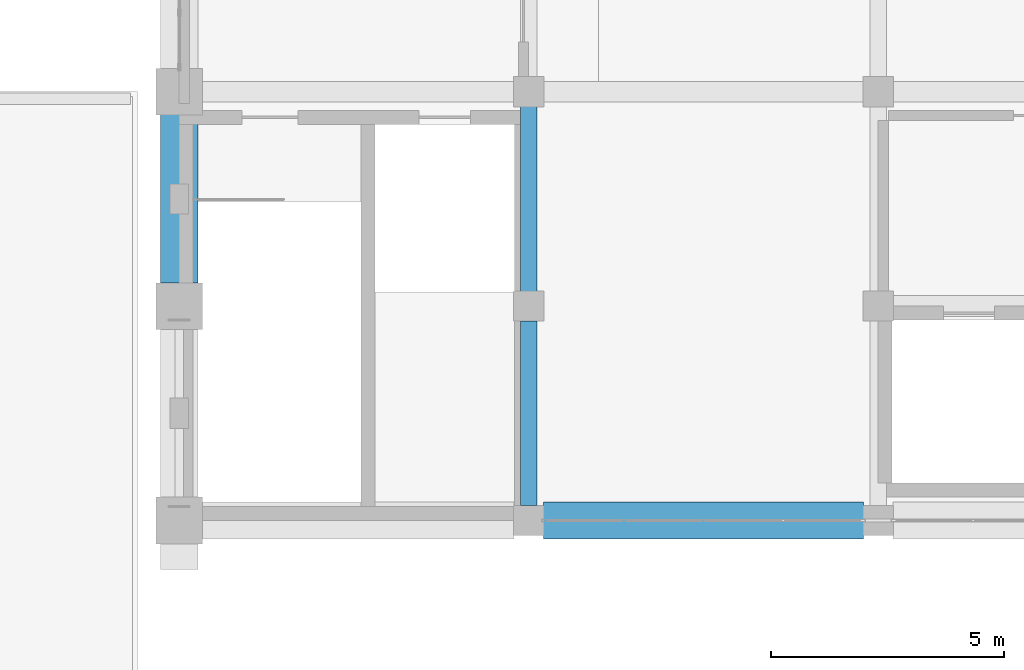
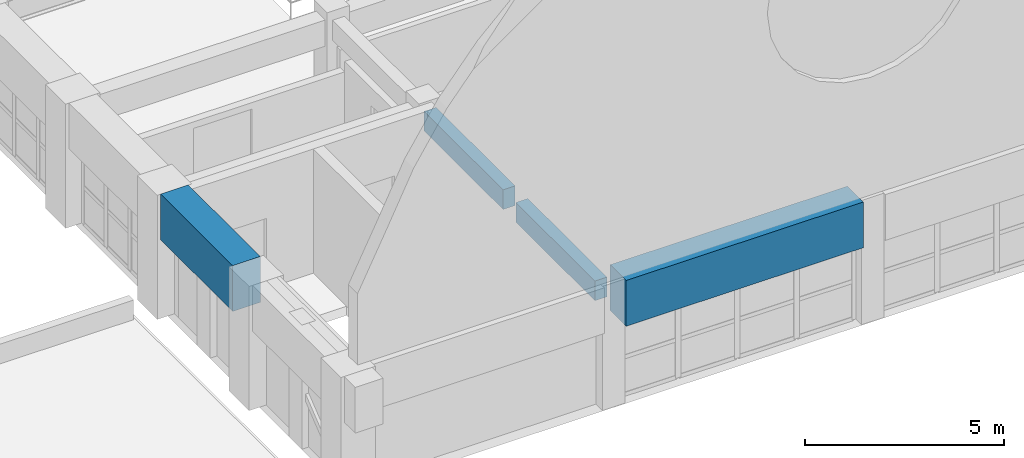
# One storey, part 3 of 74: 4 beams.
"""IFC4 building model written with IfcOpenShell, lengths in metres."""

from ifc_helpers import new_model, si_unit, direction, frame, origin, origin_2d, place, context, subcontext, project, spatial, rectangle, extrude, material, material_profile, profile_set, type_object, element, save


model = new_model("IFC4")

# Units and contexts
model_context = context("Model", 3, precision=1e-05, world=origin(), true_north=direction((0.0, 1.0)))
body_context = subcontext(model_context, "Body", "Model", "MODEL_VIEW")
ifc_project = project(units=[si_unit("LENGTHUNIT", "METRE"), si_unit("AREAUNIT", "SQUARE_METRE"), si_unit("VOLUMEUNIT", "CUBIC_METRE"), si_unit("PLANEANGLEUNIT", "RADIAN"), si_unit("MASSUNIT", "GRAM", prefix="KILO")], contexts=[model_context])

# Site, building, storey
site_placement = place(None, origin())
site = spatial("IfcSite", under=ifc_project, at=site_placement, CompositionType="ELEMENT")
building_placement = place(site_placement, origin())
building = spatial("IfcBuilding", under=site, at=building_placement, Name="Muzn Square Opera House", CompositionType="ELEMENT")
storey_placement = place(building_placement, frame((0.0, 0.0, 14.199951171875)))
storey = spatial("IfcBuildingStorey", under=building, at=storey_placement, Name="L03", CompositionType="ELEMENT", Elevation=14.199951171875)

# Beams
ifc_material_1 = material(Name="Concrete C40/50", Category="concrete")
ifc_material_profile_1 = material_profile(ifc_material_1, rectangle(XDim=0.35009765625, YDim=0.60009765625, at=origin_2d()), Name="RCB 350x600", Category="concrete")
ifc_profile_set_1 = profile_set([ifc_material_profile_1], Name="Concrete C40/50")
beam_type_1 = type_object("IfcBeamType", Name="Primary Girder 350x600", PredefinedType="BEAM", material=ifc_profile_set_1)
for number, where, z_axis, x_axis, name in (
    (1, (50.5, 22.31689453125, 3.219970703125), (0.0, 1.0, 0.0), (-1.0, 0.0, 0.0), "Primary Girder BM-L03-BM-PG600-505_223_505_263-2555"),
    (2, (50.5, 26.9169921875, 3.219970703125), (0.0, 1.0, 0.0), (-1.0, 0.0, 0.0), "Primary Girder BM-L03-BM-PG600-505_269_505_309-2556"),
):
    element("IfcBeam", number, at=place(storey_placement, frame(where, z_axis=z_axis, x_axis=x_axis)), inside=storey, type_object=beam_type_1, Name=name, PredefinedType="BEAM", context=body_context, shape_type="SweptSolid", body=[
        extrude(rectangle(XDim=0.35009765625, YDim=0.60009765625, at=origin_2d()), origin(), (0.0, 0.0, 1.0), 3.966064453125),
    ])
ifc_material_2 = material(Name="Concrete C45/55", Category="concrete")
ifc_material_profile_2 = material_profile(ifc_material_2, rectangle(XDim=0.800048828125, YDim=1.39990234375, at=origin_2d()), Name="RCB 800x1400", Category="concrete")
ifc_profile_set_2 = profile_set([ifc_material_profile_2], Name="Concrete C45/55")
beam_type_2 = type_object("IfcBeamType", Name="Vault Springing Girder 800x1400", PredefinedType="BEAM", material=ifc_profile_set_2)
beam_1_placement = place(storey_placement, frame((50.81689453125, 22.0, 3.10009765625), z_axis=(1.0, 0.0, 0.0), x_axis=(0.0, 1.0, 0.0)))
element("IfcBeam", 3, at=beam_1_placement, inside=storey, type_object=beam_type_2, Name="Gable Support Girder BM-L03-BM-VS1400-508_220_577_220-2408", PredefinedType="BEAM", context=body_context, shape_type="SweptSolid", body=[
    extrude(rectangle(XDim=0.800048828125, YDim=1.39990234375, at=origin_2d()), origin(), (0.0, 0.0, 1.0), 6.8662109375),
])
beam_2_placement = place(storey_placement, frame((43.0, 27.092041015625, 3.10009765625), z_axis=(0.0, 1.0, 0.0), x_axis=(-1.0, 0.0, 0.0)))
element("IfcBeam", 4, at=beam_2_placement, inside=storey, type_object=beam_type_2, Name="Vault Springing Girder BM-L03-BM-VS1400-430_271_430_307-2542", PredefinedType="BEAM", context=body_context, shape_type="SweptSolid", body=[
    extrude(rectangle(XDim=0.800048828125, YDim=1.39990234375, at=origin_2d()), origin(), (0.0, 0.0, 1.0), 3.615966796875),
])

save(model, "model.ifc")
